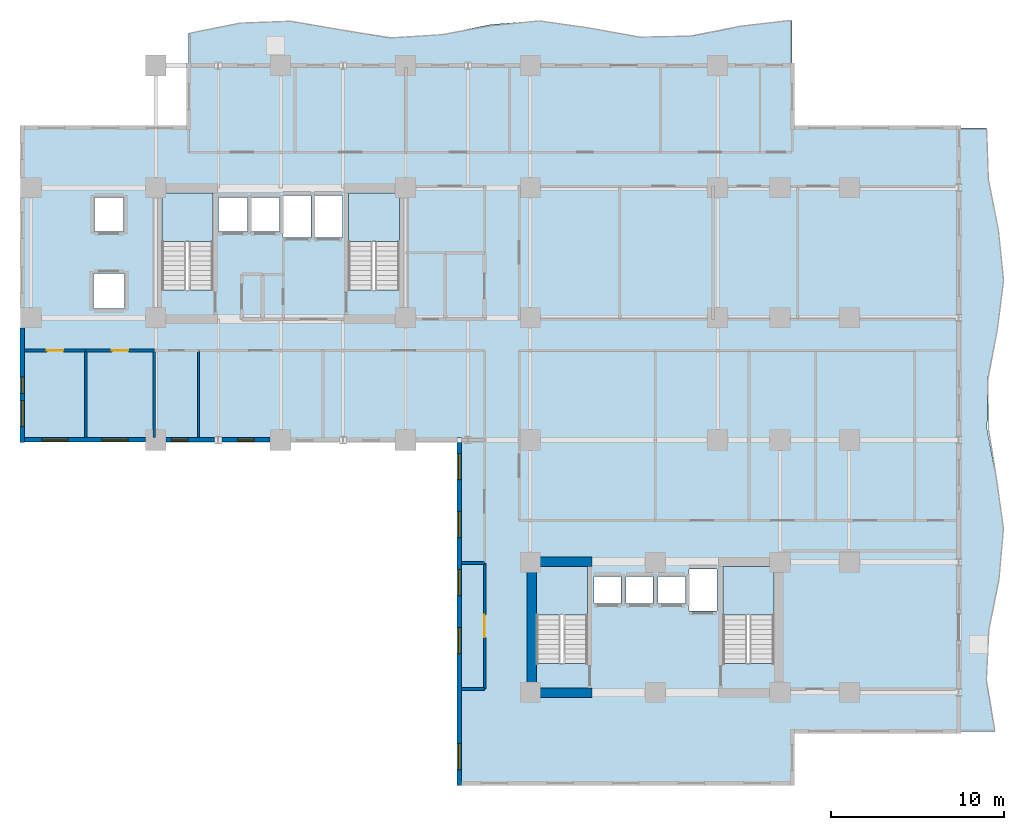
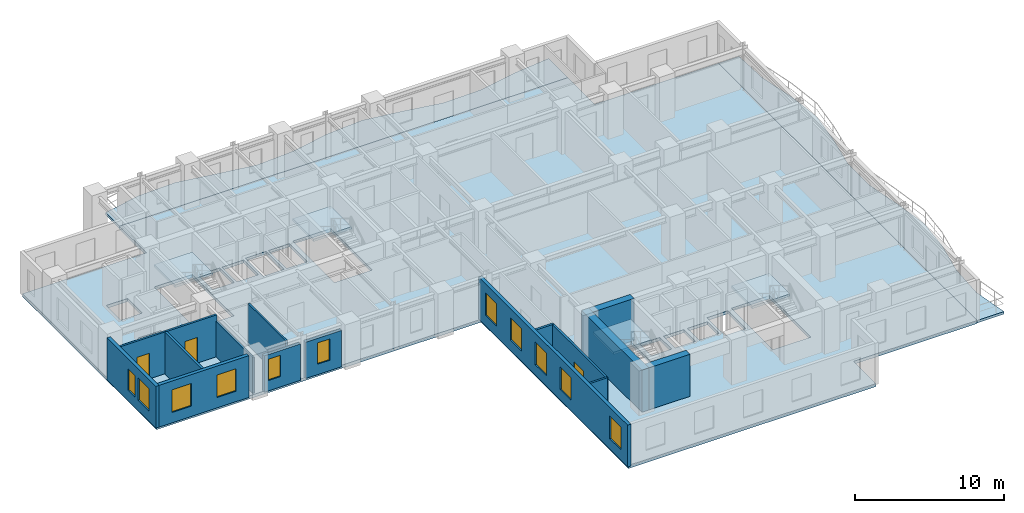
# One storey, part 2 of 11: 16 walls, 11 windows, 7 slabs, 3 doors, 14 openings, 4 elements without a shape of their own.
"""IFC4 building model written with IfcOpenShell, lengths in metres."""

from ifc_helpers import new_model, si_unit, direction, frame, frame_2d, origin, place, context, subcontext, project, spatial, polyline, rectangle, outline, extrude, material, layer, layer_set, type_object, element, fill, aggregate, save


model = new_model("IFC4")

# Units and contexts
model_context = context("Model", 3, precision=1e-05, world=origin(), true_north=direction((0.0, 1.0)))
body_context = subcontext(model_context, "Body", "Model", "MODEL_VIEW")
ifc_project = project(units=[si_unit("LENGTHUNIT", "METRE"), si_unit("AREAUNIT", "SQUARE_METRE"), si_unit("VOLUMEUNIT", "CUBIC_METRE"), si_unit("PLANEANGLEUNIT", "RADIAN"), si_unit("MASSUNIT", "GRAM", prefix="KILO")], contexts=[model_context])

# Site, building, storey
site_placement = place(None, origin())
site = spatial("IfcSite", under=ifc_project, at=site_placement, CompositionType="ELEMENT")
building_placement = place(site_placement, origin())
building = spatial("IfcBuilding", under=site, at=building_placement, Name="Kaliganga Portal Commons", CompositionType="ELEMENT")
storey_placement = place(building_placement, frame((0.0, 0.0, 115.60009765625)))
storey = spatial("IfcBuildingStorey", under=building, at=storey_placement, Name="L29", CompositionType="ELEMENT", Elevation=115.60009765625)

# Slabs
ifc_material_1 = material(Name="Concrete C40/50", Category="concrete")
ifc_layer_1 = layer(ifc_material_1, 0.2099609375)
ifc_layer_set_1 = layer_set([ifc_layer_1], Name="Concrete C40/50")
slab_type_1 = type_object("IfcSlabType", Name="SLB-BALC-210", PredefinedType="FLOOR", material=ifc_layer_set_1)
slab_1_placement = place(storey_placement, frame((0.0, 0.0, -0.210205078125)))
element("IfcSlab", 1, at=slab_1_placement, inside=storey, type_object=slab_type_1, Name="Scalloped Tree-Planter Balcony Slab L29 balc_north", PredefinedType="FLOOR", context=body_context, shape_type="SweptSolid", body=[
    extrude(outline(polyline([(51.10009765625, 43.199951171875), (51.10009765625, 45.800048828125), (48.199951171875, 45.462890625), (45.300048828125, 44.890380859375), (42.39990234375, 44.82861328125), (39.5, 45.35791015625), (36.60009765625, 45.788818359375), (33.699951171875, 45.559814453125), (30.800048828125, 44.969482421875), (27.89990234375, 44.786865234375), (25.0, 45.249755859375), (22.10009765625, 45.755126953125), (19.199951171875, 45.64453125), (16.300048828125, 45.06201171875), (16.300048828125, 43.199951171875), (51.10009765625, 43.199951171875)])), origin(), (0.0, 0.0, 1.0), 0.210205078125),
])
slab_2_placement = place(storey_placement, frame((0.0, 0.0, -0.210205078125)))
element("IfcSlab", 2, at=slab_2_placement, inside=storey, type_object=slab_type_1, Name="Scalloped Tree-Planter Balcony Slab L29 balc_east", PredefinedType="FLOOR", context=body_context, shape_type="SweptSolid", body=[
    extrude(outline(polyline([(60.699951171875, 4.800048828125), (62.782470703125, 4.800048828125), (62.297119140625, 7.699951171875), (62.444091796875, 10.60009765625), (63.03173828125, 13.5), (63.29443359375, 16.39990234375), (62.889892578125, 19.300048828125), (62.34521484375, 22.199951171875), (62.3701171875, 25.10009765625), (62.931884765625, 28.0), (63.299072265625, 30.89990234375), (62.992919921875, 33.800048828125), (62.41259765625, 36.699951171875), (62.31396484375, 39.60009765625), (60.699951171875, 39.60009765625), (60.699951171875, 4.800048828125)])), origin(), (0.0, 0.0, 1.0), 0.210205078125),
])

# Stair, slab
stair_type = type_object("IfcStairType", Name="ST-CORE-DOGLEG", PredefinedType="HALF_TURN_STAIR", material=ifc_material_1)
stair_1_placement = place(storey_placement, origin())
stair_1 = element("IfcStair", 3, at=stair_1_placement, inside=storey, type_object=stair_type, Name="L29 Protected Exit Stair ST-A1", PredefinedType="HALF_TURN_STAIR")
ifc_layer_2 = layer(ifc_material_1, 0.199951171875)
ifc_layer_set_2 = layer_set([ifc_layer_2], Name="Concrete C40/50")
slab_type_2 = type_object("IfcSlabType", Name="SLB-STAIR-LND", PredefinedType="LANDING", material=ifc_layer_set_2)
slab_3_placement = place(storey_placement, frame((0.0, 0.0, 1.64990234375)))
slab_3 = element("IfcSlab", 4, at=slab_3_placement, type_object=slab_type_2, Name="ST-A1 landing 1", PredefinedType="LANDING", context=body_context, shape_type="SweptSolid", body=[
    extrude(outline(polyline([(17.699951171875, 33.050048828125), (17.699951171875, 35.85009765625), (14.75, 35.85009765625), (14.75, 33.050048828125), (17.699951171875, 33.050048828125)])), origin(), (0.0, 0.0, 1.0), 0.199951171875),
])
aggregate(stair_1, [slab_3])

stair_2_placement = place(storey_placement, origin())
stair_2 = element("IfcStair", 5, at=stair_2_placement, inside=storey, type_object=stair_type, Name="L29 Protected Exit Stair ST-A2", PredefinedType="HALF_TURN_STAIR")
slab_4_placement = place(storey_placement, frame((0.0, 0.0, 1.64990234375)))
slab_4 = element("IfcSlab", 6, at=slab_4_placement, type_object=slab_type_2, Name="ST-A2 landing 1", PredefinedType="LANDING", context=body_context, shape_type="SweptSolid", body=[
    extrude(outline(polyline([(28.449951171875, 33.050048828125), (28.449951171875, 35.85009765625), (25.5, 35.85009765625), (25.5, 33.050048828125), (28.449951171875, 33.050048828125)])), origin(), (0.0, 0.0, 1.0), 0.199951171875),
])
aggregate(stair_2, [slab_4])

stair_3_placement = place(storey_placement, origin())
stair_3 = element("IfcStair", 7, at=stair_3_placement, inside=storey, type_object=stair_type, Name="L29 Protected Exit Stair ST-B1", PredefinedType="HALF_TURN_STAIR")
slab_5_placement = place(storey_placement, frame((0.0, 0.0, 1.64990234375)))
slab_5 = element("IfcSlab", 8, at=slab_5_placement, type_object=slab_type_2, Name="ST-B1 landing 1", PredefinedType="LANDING", context=body_context, shape_type="SweptSolid", body=[
    extrude(outline(polyline([(39.300048828125, 11.5), (39.300048828125, 14.300048828125), (36.35009765625, 14.300048828125), (36.35009765625, 11.5), (39.300048828125, 11.5)])), origin(), (0.0, 0.0, 1.0), 0.199951171875),
])
aggregate(stair_3, [slab_5])

stair_4_placement = place(storey_placement, origin())
stair_4 = element("IfcStair", 9, at=stair_4_placement, inside=storey, type_object=stair_type, Name="L29 Protected Exit Stair ST-B2", PredefinedType="HALF_TURN_STAIR")
slab_6_placement = place(storey_placement, frame((0.0, 0.0, 1.64990234375)))
slab_6 = element("IfcSlab", 10, at=slab_6_placement, type_object=slab_type_2, Name="ST-B2 landing 1", PredefinedType="LANDING", context=body_context, shape_type="SweptSolid", body=[
    extrude(outline(polyline([(50.050048828125, 11.5), (50.050048828125, 14.300048828125), (47.10009765625, 14.300048828125), (47.10009765625, 11.5), (50.050048828125, 11.5)])), origin(), (0.0, 0.0, 1.0), 0.199951171875),
])
aggregate(stair_4, [slab_6])

# Slab
ifc_layer_3 = layer(ifc_material_1, 0.25)
ifc_layer_set_3 = layer_set([ifc_layer_3], Name="Concrete C40/50")
slab_type_3 = type_object("IfcSlabType", Name="SLB-TWR-250", PredefinedType="FLOOR", material=ifc_layer_set_3)
slab_7_placement = place(storey_placement, frame((0.0, 0.0, -0.25)))
element("IfcSlab", 11, at=slab_7_placement, inside=storey, type_object=slab_type_3, Name="Structural Floor Slab L29", PredefinedType="FLOOR", context=body_context, shape_type="SweptSolid", body=[
    extrude(outline(polyline([(31.89990234375, 1.800048828125), (51.10009765625, 1.800048828125), (51.10009765625, 4.800048828125), (60.699951171875, 4.800048828125), (60.699951171875, 39.60009765625), (51.10009765625, 39.60009765625), (51.10009765625, 43.199951171875), (16.300048828125, 43.199951171875), (16.300048828125, 39.60009765625), (6.699951171875, 39.60009765625), (6.699951171875, 21.60009765625), (31.89990234375, 21.60009765625), (31.89990234375, 1.800048828125)]), holes=[polyline([(14.75, 30.25390625), (14.75, 35.85009765625), (17.699951171875, 35.85009765625), (17.699951171875, 30.25390625), (14.75, 30.25390625)]), polyline([(25.5, 30.25390625), (25.5, 35.85009765625), (28.449951171875, 35.85009765625), (28.449951171875, 30.25390625), (25.5, 30.25390625)]), polyline([(36.35009765625, 8.7041015625), (36.35009765625, 14.300048828125), (39.300048828125, 14.300048828125), (39.300048828125, 8.7041015625), (36.35009765625, 8.7041015625)]), polyline([(47.10009765625, 8.7041015625), (47.10009765625, 14.300048828125), (50.050048828125, 14.300048828125), (50.050048828125, 8.7041015625), (47.10009765625, 8.7041015625)]), polyline([(18.014892578125, 33.614990234375), (18.014892578125, 35.5849609375), (19.68505859375, 35.5849609375), (19.68505859375, 33.614990234375), (18.014892578125, 33.614990234375)]), polyline([(19.864990234375, 33.614990234375), (19.864990234375, 35.5849609375), (21.534912109375, 35.5849609375), (21.534912109375, 33.614990234375), (19.864990234375, 33.614990234375)]), polyline([(10.81494140625, 29.18994140625), (10.81494140625, 31.2099609375), (12.5849609375, 31.2099609375), (12.5849609375, 29.18994140625), (10.81494140625, 29.18994140625)]), polyline([(10.864990234375, 33.614990234375), (10.864990234375, 35.5849609375), (12.534912109375, 35.5849609375), (12.534912109375, 33.614990234375), (10.864990234375, 33.614990234375)]), polyline([(21.739990234375, 33.2900390625), (21.739990234375, 35.7099609375), (23.360107421875, 35.7099609375), (23.360107421875, 33.2900390625), (21.739990234375, 33.2900390625)]), polyline([(23.5400390625, 33.2900390625), (23.5400390625, 35.7099609375), (25.159912109375, 35.7099609375), (25.159912109375, 33.2900390625), (23.5400390625, 33.2900390625)]), polyline([(39.6650390625, 12.1650390625), (39.6650390625, 13.735107421875), (41.235107421875, 13.735107421875), (41.235107421875, 12.1650390625), (39.6650390625, 12.1650390625)]), polyline([(41.514892578125, 12.1650390625), (41.514892578125, 13.735107421875), (43.0849609375, 13.735107421875), (43.0849609375, 12.1650390625), (41.514892578125, 12.1650390625)]), polyline([(43.364990234375, 12.1650390625), (43.364990234375, 13.735107421875), (44.93505859375, 13.735107421875), (44.93505859375, 12.1650390625), (43.364990234375, 12.1650390625)]), polyline([(45.139892578125, 11.739990234375), (45.139892578125, 14.159912109375), (46.760009765625, 14.159912109375), (46.760009765625, 11.739990234375), (45.139892578125, 11.739990234375)])]), origin(), (0.0, 0.0, 1.0), 0.25),
])

# Walls
ifc_material_2 = material(Name="Concrete C60/75", Category="concrete")
ifc_layer_4 = layer(ifc_material_2, 0.550048828125)
ifc_layer_set_4 = layer_set([ifc_layer_4], Name="Concrete C60/75")
wall_type_1 = type_object("IfcWallType", Name="WL-CORE-550", PredefinedType="SHEAR", material=ifc_layer_set_4)
wall_1_placement = place(storey_placement, frame((36.074951171875, 6.75, 0.0), z_axis=(0.0, 0.0, 1.0), x_axis=(0.0, 1.0, 0.0)))
element("IfcWall", 12, at=wall_1_placement, inside=storey, type_object=wall_type_1, Name="Core B West Shear Wall L29", PredefinedType="SHEAR", context=body_context, shape_type="SweptSolid", body=[
    extrude(rectangle(XDim=8.10009765625, YDim=0.550048828125, at=frame_2d((4.050048828125, 0.0))), origin(), (0.0, 0.0, 1.0), 3.449951171875),
])
for number, where, z_axis, x_axis, name in (
    (13, (36.35009765625, 7.02490234375, 0.0), (0.0, 0.0, 1.0), (1.0, 0.0, 0.0), "Core B S-West Shear Wall L29"),
    (14, (36.35009765625, 14.574951171875, 0.0), (0.0, 0.0, 1.0), (1.0, 0.0, 0.0), "Core B N-West Shear Wall L29"),
):
    element("IfcWall", number, at=place(storey_placement, frame(where, z_axis=z_axis, x_axis=x_axis)), inside=storey, type_object=wall_type_1, Name=name, PredefinedType="SHEAR", context=body_context, shape_type="SweptSolid", body=[
        extrude(rectangle(XDim=3.199951171875, YDim=0.550048828125, at=frame_2d((1.60009765625, 0.0))), origin(), (0.0, 0.0, 1.0), 3.449951171875),
    ])

# Wall, openings, windows
ifc_material_3 = material(Name="Insulated Aluminium-Clad Spandrel Assembly", Category="aluminium")
ifc_layer_5 = layer(ifc_material_3, 0.260009765625)
ifc_layer_set_5 = layer_set([ifc_layer_5], Name="Insulated Aluminium-Clad Spandrel Assembly")
wall_type_2 = type_object("IfcWallType", Name="WL-EXT-SPAND-260", PredefinedType="STANDARD", material=ifc_layer_set_5)
wall_2_placement = place(storey_placement, frame((6.699951171875, 21.469970703125, 0.0), z_axis=(0.0, 0.0, 1.0), x_axis=(0.0, 1.0, 0.0)))
wall_2 = element("IfcWall", 15, at=wall_2_placement, inside=storey, type_object=wall_type_2, Name="Exterior Envelope Wall L29 P1-E09-S3", PredefinedType="STANDARD", context=body_context, shape_type="SweptSolid", body=[
    extrude(rectangle(XDim=6.5791015625, YDim=0.260009765625, at=frame_2d((3.28955078125, 0.0))), origin(), (0.0, 0.0, 1.0), 3.429931640625),
])
opening_1_placement = place(wall_2_placement, frame((0.894775390625, 0.0, 0.85009765625)))
opening_1 = element("IfcOpeningElement", 16, at=opening_1_placement, cuts=wall_2, Name="Opening W-02", PredefinedType="OPENING", context=body_context, shape_type="SweptSolid", body=[
    extrude(rectangle(XDim=1.5, YDim=1.85009765625, at=frame_2d((0.75, 0.925048828125))), frame((0.0, 0.14013671875, 0.0), z_axis=(0.0, -1.0, 0.0), x_axis=(1.0, 0.0, 0.0)), (0.0, 0.0, 1.0), 0.280029296875),
])
opening_2_placement = place(wall_2_placement, frame((2.814453125, 0.0, 0.85009765625)))
opening_2 = element("IfcOpeningElement", 17, at=opening_2_placement, cuts=wall_2, Name="Opening W-04", PredefinedType="OPENING", context=body_context, shape_type="SweptSolid", body=[
    extrude(rectangle(XDim=0.949951171875, YDim=1.75, at=frame_2d((0.47509765625, 0.875))), frame((0.0, 0.14013671875, 0.0), z_axis=(0.0, -1.0, 0.0), x_axis=(1.0, 0.0, 0.0)), (0.0, 0.0, 1.0), 0.280029296875),
])
ifc_material_4 = material(Name="Thermally Broken Aluminium and Low-E Double Glazing", Category="aluminium")
window_type_1 = type_object("IfcWindowType", Name="WIN-NARROW-950", PartitioningType="SINGLE_PANEL", PredefinedType="WINDOW", material=ifc_material_4)
window_1_placement = place(opening_2_placement, origin())
window_1 = element("IfcWindow", 18, at=window_1_placement, inside=storey, type_object=window_type_1, Name="Facade Window L29-P1E09S3-N0", OverallHeight=1.75, OverallWidth=0.949951171875, PartitioningType="SINGLE_PANEL", PredefinedType="WINDOW", context=body_context, shape_type="SweptSolid", body=[
    extrude(rectangle(XDim=0.949951171875, YDim=1.75, at=frame_2d((0.47509765625, 0.875))), frame((0.0, 0.030029296875, 0.0), z_axis=(0.0, -1.0, 0.0), x_axis=(1.0, 0.0, 0.0)), (0.0, 0.0, 1.0), 0.06005859375),
])
fill(opening_2, window_1)
window_type_2 = type_object("IfcWindowType", Name="WIN-STD-1500", PartitioningType="DOUBLE_PANEL_VERTICAL", PredefinedType="WINDOW", material=ifc_material_4)
window_2_placement = place(opening_1_placement, origin())
window_2 = element("IfcWindow", 19, at=window_2_placement, inside=storey, type_object=window_type_2, Name="Facade Window L29-P1E09S3-00", OverallHeight=1.85009765625, OverallWidth=1.5, PartitioningType="SINGLE_PANEL", PredefinedType="WINDOW", context=body_context, shape_type="SweptSolid", body=[
    extrude(rectangle(XDim=1.5, YDim=1.85009765625, at=frame_2d((0.75, 0.925048828125))), frame((0.0, 0.030029296875, 0.0), z_axis=(0.0, -1.0, 0.0), x_axis=(1.0, 0.0, 0.0)), (0.0, 0.0, 1.0), 0.06005859375),
])
fill(opening_1, window_2)

wall_3_placement = place(storey_placement, frame((13.799072265625, 21.60009765625, 0.0), z_axis=(0.0, 0.0, 1.0), x_axis=(-1.0, 0.0, 0.0)))
wall_3 = element("IfcWall", 20, at=wall_3_placement, inside=storey, type_object=wall_type_2, Name="Exterior Envelope Wall L29 P1-E10-S1", PredefinedType="STANDARD", context=body_context, shape_type="SweptSolid", body=[
    extrude(rectangle(XDim=6.964111328125, YDim=0.260009765625, at=frame_2d((3.48193359375, 0.0))), origin(), (0.0, 0.0, 1.0), 3.429931640625),
])
opening_3_placement = place(wall_3_placement, frame((0.990966796875, 0.0, 0.85009765625)))
opening_3 = element("IfcOpeningElement", 21, at=opening_3_placement, cuts=wall_3, Name="Opening W-02", PredefinedType="OPENING", context=body_context, shape_type="SweptSolid", body=[
    extrude(rectangle(XDim=1.5, YDim=1.85009765625, at=frame_2d((0.75, 0.925048828125))), frame((0.0, 0.14013671875, 0.0), z_axis=(0.0, -1.0, 0.0), x_axis=(1.0, 0.0, 0.0)), (0.0, 0.0, 1.0), 0.280029296875),
])
opening_4_placement = place(wall_3_placement, frame((4.472900390625, 0.0, 0.85009765625)))
opening_4 = element("IfcOpeningElement", 22, at=opening_4_placement, cuts=wall_3, Name="Opening W-02", PredefinedType="OPENING", context=body_context, shape_type="SweptSolid", body=[
    extrude(rectangle(XDim=1.5, YDim=1.85009765625, at=frame_2d((0.75, 0.925048828125))), frame((0.0, 0.14013671875, 0.0), z_axis=(0.0, -1.0, 0.0), x_axis=(1.0, 0.0, 0.0)), (0.0, 0.0, 1.0), 0.280029296875),
])
window_3_placement = place(opening_3_placement, origin())
window_3 = element("IfcWindow", 23, at=window_3_placement, inside=storey, type_object=window_type_2, Name="Facade Window L29-P1E10S1-00", OverallHeight=1.85009765625, OverallWidth=1.5, PartitioningType="SINGLE_PANEL", PredefinedType="WINDOW", context=body_context, shape_type="SweptSolid", body=[
    extrude(rectangle(XDim=1.5, YDim=1.85009765625, at=frame_2d((0.75, 0.925048828125))), frame((0.0, 0.030029296875, 0.0), z_axis=(0.0, -1.0, 0.0), x_axis=(1.0, 0.0, 0.0)), (0.0, 0.0, 1.0), 0.06005859375),
])
fill(opening_3, window_3)
window_4_placement = place(opening_4_placement, origin())
window_4 = element("IfcWindow", 24, at=window_4_placement, inside=storey, type_object=window_type_2, Name="Facade Window L29-P1E10S1-01", OverallHeight=1.85009765625, OverallWidth=1.5, PartitioningType="SINGLE_PANEL", PredefinedType="WINDOW", context=body_context, shape_type="SweptSolid", body=[
    extrude(rectangle(XDim=1.5, YDim=1.85009765625, at=frame_2d((0.75, 0.925048828125))), frame((0.0, 0.030029296875, 0.0), z_axis=(0.0, -1.0, 0.0), x_axis=(1.0, 0.0, 0.0)), (0.0, 0.0, 1.0), 0.06005859375),
])
fill(opening_4, window_4)

# Wall, opening, window
wall_4_placement = place(storey_placement, frame((17.79443359375, 21.60009765625, 0.0), z_axis=(0.0, 0.0, 1.0), x_axis=(-1.0, 0.0, 0.0)))
wall_4 = element("IfcWall", 25, at=wall_4_placement, inside=storey, type_object=wall_type_2, Name="Exterior Envelope Wall L29 P1-E10-S2", PredefinedType="STANDARD", context=body_context, shape_type="SweptSolid", body=[
    extrude(rectangle(XDim=2.79345703125, YDim=0.260009765625, at=frame_2d((1.396728515625, 0.0))), origin(), (0.0, 0.0, 1.0), 2.97998046875),
])
opening_5_placement = place(wall_4_placement, frame((1.536376953125, 0.0, 0.85009765625)))
opening_5 = element("IfcOpeningElement", 26, at=opening_5_placement, cuts=wall_4, Name="Opening W-04", PredefinedType="OPENING", context=body_context, shape_type="SweptSolid", body=[
    extrude(rectangle(XDim=0.949951171875, YDim=1.75, at=frame_2d((0.47509765625, 0.875))), frame((0.0, 0.14013671875, 0.0), z_axis=(0.0, -1.0, 0.0), x_axis=(1.0, 0.0, 0.0)), (0.0, 0.0, 1.0), 0.280029296875),
])
window_5_placement = place(opening_5_placement, origin())
window_5 = element("IfcWindow", 27, at=window_5_placement, inside=storey, type_object=window_type_1, Name="Facade Window L29-P1E10S2-N4", OverallHeight=1.75, OverallWidth=0.949951171875, PartitioningType="SINGLE_PANEL", PredefinedType="WINDOW", context=body_context, shape_type="SweptSolid", body=[
    extrude(rectangle(XDim=0.949951171875, YDim=1.75, at=frame_2d((0.47509765625, 0.875))), frame((0.0, 0.030029296875, 0.0), z_axis=(0.0, -1.0, 0.0), x_axis=(1.0, 0.0, 0.0)), (0.0, 0.0, 1.0), 0.06005859375),
])
fill(opening_5, window_5)

wall_5_placement = place(storey_placement, frame((20.9990234375, 21.60009765625, 0.0), z_axis=(0.0, 0.0, 1.0), x_axis=(-1.0, 0.0, 0.0)))
wall_5 = element("IfcWall", 28, at=wall_5_placement, inside=storey, type_object=wall_type_2, Name="Exterior Envelope Wall L29 P1-E10-S3", PredefinedType="STANDARD", context=body_context, shape_type="SweptSolid", body=[
    extrude(rectangle(XDim=2.79345703125, YDim=0.260009765625, at=frame_2d((1.396728515625, 0.0))), origin(), (0.0, 0.0, 1.0), 2.97998046875),
])
opening_6_placement = place(wall_5_placement, frame((0.921630859375, 0.0, 0.85009765625)))
opening_6 = element("IfcOpeningElement", 29, at=opening_6_placement, cuts=wall_5, Name="Opening W-04", PredefinedType="OPENING", context=body_context, shape_type="SweptSolid", body=[
    extrude(rectangle(XDim=0.949951171875, YDim=1.75, at=frame_2d((0.47509765625, 0.875))), frame((0.0, 0.14013671875, 0.0), z_axis=(0.0, -1.0, 0.0), x_axis=(1.0, 0.0, 0.0)), (0.0, 0.0, 1.0), 0.280029296875),
])
window_6_placement = place(opening_6_placement, origin())
window_6 = element("IfcWindow", 30, at=window_6_placement, inside=storey, type_object=window_type_1, Name="Facade Window L29-P1E10S3-00", OverallHeight=1.75, OverallWidth=0.949951171875, PartitioningType="SINGLE_PANEL", PredefinedType="WINDOW", context=body_context, shape_type="SweptSolid", body=[
    extrude(rectangle(XDim=0.949951171875, YDim=1.75, at=frame_2d((0.47509765625, 0.875))), frame((0.0, 0.030029296875, 0.0), z_axis=(0.0, -1.0, 0.0), x_axis=(1.0, 0.0, 0.0)), (0.0, 0.0, 1.0), 0.06005859375),
])
fill(opening_6, window_6)

# Wall, openings, windows
wall_6_placement = place(storey_placement, frame((31.89990234375, 1.669921875, 0.0), z_axis=(0.0, 0.0, 1.0), x_axis=(0.0, 1.0, 0.0)))
wall_6 = element("IfcWall", 31, at=wall_6_placement, inside=storey, type_object=wall_type_2, Name="Exterior Envelope Wall L29 P1-E11-S1", PredefinedType="STANDARD", context=body_context, shape_type="SweptSolid", body=[
    extrude(rectangle(XDim=20.06005859375, YDim=0.260009765625, at=frame_2d((10.030029296875, 0.0))), origin(), (0.0, 0.0, 1.0), 3.429931640625),
])
opening_7_placement = place(wall_6_placement, frame((0.921630859375, 0.0, 0.85009765625)))
opening_7 = element("IfcOpeningElement", 32, at=opening_7_placement, cuts=wall_6, Name="Opening W-02", PredefinedType="OPENING", context=body_context, shape_type="SweptSolid", body=[
    extrude(rectangle(XDim=1.5, YDim=1.85009765625, at=frame_2d((0.75, 0.925048828125))), frame((0.0, 0.14013671875, 0.0), z_axis=(0.0, -1.0, 0.0), x_axis=(1.0, 0.0, 0.0)), (0.0, 0.0, 1.0), 0.280029296875),
])
opening_8_placement = place(wall_6_placement, frame((7.6083984375, 0.0, 0.85009765625)))
opening_8 = element("IfcOpeningElement", 33, at=opening_8_placement, cuts=wall_6, Name="Opening W-02", PredefinedType="OPENING", context=body_context, shape_type="SweptSolid", body=[
    extrude(rectangle(XDim=1.5, YDim=1.85009765625, at=frame_2d((0.75, 0.925048828125))), frame((0.0, 0.14013671875, 0.0), z_axis=(0.0, -1.0, 0.0), x_axis=(1.0, 0.0, 0.0)), (0.0, 0.0, 1.0), 0.280029296875),
])
opening_9_placement = place(wall_6_placement, frame((10.95166015625, 0.0, 0.85009765625)))
opening_9 = element("IfcOpeningElement", 34, at=opening_9_placement, cuts=wall_6, Name="Opening W-02", PredefinedType="OPENING", context=body_context, shape_type="SweptSolid", body=[
    extrude(rectangle(XDim=1.5, YDim=1.85009765625, at=frame_2d((0.75, 0.925048828125))), frame((0.0, 0.14013671875, 0.0), z_axis=(0.0, -1.0, 0.0), x_axis=(1.0, 0.0, 0.0)), (0.0, 0.0, 1.0), 0.280029296875),
])
opening_10_placement = place(wall_6_placement, frame((14.294921875, 0.0, 0.85009765625)))
opening_10 = element("IfcOpeningElement", 35, at=opening_10_placement, cuts=wall_6, Name="Opening W-02", PredefinedType="OPENING", context=body_context, shape_type="SweptSolid", body=[
    extrude(rectangle(XDim=1.5, YDim=1.85009765625, at=frame_2d((0.75, 0.925048828125))), frame((0.0, 0.14013671875, 0.0), z_axis=(0.0, -1.0, 0.0), x_axis=(1.0, 0.0, 0.0)), (0.0, 0.0, 1.0), 0.280029296875),
])
opening_11_placement = place(wall_6_placement, frame((17.63818359375, 0.0, 0.85009765625)))
opening_11 = element("IfcOpeningElement", 36, at=opening_11_placement, cuts=wall_6, Name="Opening W-02", PredefinedType="OPENING", context=body_context, shape_type="SweptSolid", body=[
    extrude(rectangle(XDim=1.5, YDim=1.85009765625, at=frame_2d((0.75, 0.925048828125))), frame((0.0, 0.14013671875, 0.0), z_axis=(0.0, -1.0, 0.0), x_axis=(1.0, 0.0, 0.0)), (0.0, 0.0, 1.0), 0.280029296875),
])
window_7_placement = place(opening_7_placement, origin())
window_7 = element("IfcWindow", 37, at=window_7_placement, inside=storey, type_object=window_type_2, Name="Facade Window L29-P1E11S1-00", OverallHeight=1.85009765625, OverallWidth=1.5, PartitioningType="SINGLE_PANEL", PredefinedType="WINDOW", context=body_context, shape_type="SweptSolid", body=[
    extrude(rectangle(XDim=1.5, YDim=1.85009765625, at=frame_2d((0.75, 0.925048828125))), frame((0.0, 0.030029296875, 0.0), z_axis=(0.0, -1.0, 0.0), x_axis=(1.0, 0.0, 0.0)), (0.0, 0.0, 1.0), 0.06005859375),
])
fill(opening_7, window_7)
window_8_placement = place(opening_8_placement, origin())
window_8 = element("IfcWindow", 38, at=window_8_placement, inside=storey, type_object=window_type_2, Name="Facade Window L29-P1E11S1-02", OverallHeight=1.85009765625, OverallWidth=1.5, PartitioningType="SINGLE_PANEL", PredefinedType="WINDOW", context=body_context, shape_type="SweptSolid", body=[
    extrude(rectangle(XDim=1.5, YDim=1.85009765625, at=frame_2d((0.75, 0.925048828125))), frame((0.0, 0.030029296875, 0.0), z_axis=(0.0, -1.0, 0.0), x_axis=(1.0, 0.0, 0.0)), (0.0, 0.0, 1.0), 0.06005859375),
])
fill(opening_8, window_8)
window_9_placement = place(opening_9_placement, origin())
window_9 = element("IfcWindow", 39, at=window_9_placement, inside=storey, type_object=window_type_2, Name="Facade Window L29-P1E11S1-03", OverallHeight=1.85009765625, OverallWidth=1.5, PartitioningType="SINGLE_PANEL", PredefinedType="WINDOW", context=body_context, shape_type="SweptSolid", body=[
    extrude(rectangle(XDim=1.5, YDim=1.85009765625, at=frame_2d((0.75, 0.925048828125))), frame((0.0, 0.030029296875, 0.0), z_axis=(0.0, -1.0, 0.0), x_axis=(1.0, 0.0, 0.0)), (0.0, 0.0, 1.0), 0.06005859375),
])
fill(opening_9, window_9)
window_10_placement = place(opening_10_placement, origin())
window_10 = element("IfcWindow", 40, at=window_10_placement, inside=storey, type_object=window_type_2, Name="Facade Window L29-P1E11S1-04", OverallHeight=1.85009765625, OverallWidth=1.5, PartitioningType="SINGLE_PANEL", PredefinedType="WINDOW", context=body_context, shape_type="SweptSolid", body=[
    extrude(rectangle(XDim=1.5, YDim=1.85009765625, at=frame_2d((0.75, 0.925048828125))), frame((0.0, 0.030029296875, 0.0), z_axis=(0.0, -1.0, 0.0), x_axis=(1.0, 0.0, 0.0)), (0.0, 0.0, 1.0), 0.06005859375),
])
fill(opening_10, window_10)
window_11_placement = place(opening_11_placement, origin())
window_11 = element("IfcWindow", 41, at=window_11_placement, inside=storey, type_object=window_type_2, Name="Facade Window L29-P1E11S1-05", OverallHeight=1.85009765625, OverallWidth=1.5, PartitioningType="SINGLE_PANEL", PredefinedType="WINDOW", context=body_context, shape_type="SweptSolid", body=[
    extrude(rectangle(XDim=1.5, YDim=1.85009765625, at=frame_2d((0.75, 0.925048828125))), frame((0.0, 0.030029296875, 0.0), z_axis=(0.0, -1.0, 0.0), x_axis=(1.0, 0.0, 0.0)), (0.0, 0.0, 1.0), 0.06005859375),
])
fill(opening_11, window_11)

# Wall, opening, door
ifc_material_5 = material(Name="Fire-Rated Gypsum Board on Steel Stud", Category="steel")
ifc_layer_6 = layer(ifc_material_5, 0.14990234375)
ifc_layer_set_6 = layer_set([ifc_layer_6], Name="Fire-Rated Gypsum Board on Steel Stud")
wall_type_3 = type_object("IfcWallType", Name="WL-PART-CORR-150", PredefinedType="PARTITIONING", material=ifc_layer_set_6)
wall_7_placement = place(storey_placement, frame((33.360107421875, 7.239990234375, 0.0), z_axis=(0.0, 0.0, 1.0), x_axis=(0.0, 1.0, 0.0)))
wall_7 = element("IfcWall", 42, at=wall_7_placement, inside=storey, type_object=wall_type_3, Name="Interior Partition L29-011", PredefinedType="PARTITIONING", context=body_context, shape_type="SweptSolid", body=[
    extrude(rectangle(XDim=7.260009765625, YDim=0.14990234375, at=frame_2d((3.6298828125, 0.0))), origin(), (0.0, 0.0, 1.0), 3.429931640625),
])
opening_12_placement = place(wall_7_placement, frame((2.97998046875, 0.0, 0.0)))
opening_12 = element("IfcOpeningElement", 43, at=opening_12_placement, cuts=wall_7, Name="Opening RD-03", PredefinedType="OPENING", context=body_context, shape_type="SweptSolid", body=[
    extrude(rectangle(XDim=1.300048828125, YDim=2.1201171875, at=frame_2d((0.64990234375, 1.06005859375))), frame((0.0, 0.0849609375, 0.0), z_axis=(0.0, -1.0, 0.0), x_axis=(1.0, 0.0, 0.0)), (0.0, 0.0, 1.0), 0.169921875),
])
ifc_material_6 = material(Name="Glazed Timber Seminar Vision Door", Category="wood")
door_type_1 = type_object("IfcDoorType", Name="DR-STUDY-1300", OperationType="DOUBLE_DOOR_SINGLE_SWING", PredefinedType="DOOR", material=ifc_material_6)
door_1_placement = place(opening_12_placement, origin())
door_1 = element("IfcDoor", 44, at=door_1_placement, inside=storey, type_object=door_type_1, Name="Interior Door L29-KW01", OperationType="DOUBLE_DOOR_SINGLE_SWING", OverallHeight=2.1201171875, OverallWidth=1.300048828125, PredefinedType="DOOR", context=body_context, shape_type="SweptSolid", body=[
    extrude(rectangle(XDim=1.300048828125, YDim=2.1201171875, at=frame_2d((0.64990234375, 1.06005859375))), frame((0.0, 0.02490234375, 0.0), z_axis=(0.0, -1.0, 0.0), x_axis=(1.0, 0.0, 0.0)), (0.0, 0.0, 1.0), 0.050048828125),
])
fill(opening_12, door_1)

wall_8_placement = place(storey_placement, frame((10.360107421875, 26.760009765625, 0.0), z_axis=(0.0, 0.0, 1.0), x_axis=(1.0, 0.0, 0.0)))
wall_8 = element("IfcWall", 45, at=wall_8_placement, inside=storey, type_object=wall_type_3, Name="Interior Partition L29-026", PredefinedType="PARTITIONING", context=body_context, shape_type="SweptSolid", body=[
    extrude(rectangle(XDim=3.9599609375, YDim=0.14990234375, at=frame_2d((1.97998046875, 0.0))), origin(), (0.0, 0.0, 1.0), 3.429931640625),
])
opening_13_placement = place(wall_8_placement, frame((1.5048828125, 0.0, 0.0)))
opening_13 = element("IfcOpeningElement", 46, at=opening_13_placement, cuts=wall_8, Name="Opening UD-01", PredefinedType="OPENING", context=body_context, shape_type="SweptSolid", body=[
    extrude(rectangle(XDim=0.949951171875, YDim=2.10009765625, at=frame_2d((0.47509765625, 1.050048828125))), frame((0.0, 0.0849609375, 0.0), z_axis=(0.0, -1.0, 0.0), x_axis=(1.0, 0.0, 0.0)), (0.0, 0.0, 1.0), 0.169921875),
])
ifc_material_7 = material(Name="Solid-Core Timber Acoustic Fire Door", Category="wood")
door_type_2 = type_object("IfcDoorType", Name="DR-UNIT-950", OperationType="NOTDEFINED", PredefinedType="DOOR", material=ifc_material_7)
door_2_placement = place(opening_13_placement, origin())
door_2 = element("IfcDoor", 47, at=door_2_placement, inside=storey, type_object=door_type_2, Name="Interior Door L29-AS02", OperationType="SINGLE_SWING_LEFT", OverallHeight=2.10009765625, OverallWidth=0.949951171875, PredefinedType="DOOR", context=body_context, shape_type="SweptSolid", body=[
    extrude(rectangle(XDim=0.949951171875, YDim=2.10009765625, at=frame_2d((0.47509765625, 1.050048828125))), frame((0.0, 0.02490234375, 0.0), z_axis=(0.0, -1.0, 0.0), x_axis=(1.0, 0.0, 0.0)), (0.0, 0.0, 1.0), 0.050048828125),
])
fill(opening_13, door_2)

wall_9_placement = place(storey_placement, frame((6.83203125, 26.760009765625, 0.0), z_axis=(0.0, 0.0, 1.0), x_axis=(1.0, 0.0, 0.0)))
wall_9 = element("IfcWall", 48, at=wall_9_placement, inside=storey, type_object=wall_type_3, Name="Interior Partition L29-030", PredefinedType="PARTITIONING", context=body_context, shape_type="SweptSolid", body=[
    extrude(rectangle(XDim=3.528076171875, YDim=0.14990234375, at=frame_2d((1.76416015625, 0.0))), origin(), (0.0, 0.0, 1.0), 3.429931640625),
])
opening_14_placement = place(wall_9_placement, frame((1.2890625, 0.0, 0.0)))
opening_14 = element("IfcOpeningElement", 49, at=opening_14_placement, cuts=wall_9, Name="Opening UD-01", PredefinedType="OPENING", context=body_context, shape_type="SweptSolid", body=[
    extrude(rectangle(XDim=0.949951171875, YDim=2.10009765625, at=frame_2d((0.47509765625, 1.050048828125))), frame((0.0, 0.0849609375, 0.0), z_axis=(0.0, -1.0, 0.0), x_axis=(1.0, 0.0, 0.0)), (0.0, 0.0, 1.0), 0.169921875),
])
door_3_placement = place(opening_14_placement, origin())
door_3 = element("IfcDoor", 50, at=door_3_placement, inside=storey, type_object=door_type_2, Name="Interior Door L29-AS01", OperationType="SINGLE_SWING_RIGHT", OverallHeight=2.10009765625, OverallWidth=0.949951171875, PredefinedType="DOOR", context=body_context, shape_type="SweptSolid", body=[
    extrude(rectangle(XDim=0.949951171875, YDim=2.10009765625, at=frame_2d((0.47509765625, 1.050048828125))), frame((0.0, 0.02490234375, 0.0), z_axis=(0.0, -1.0, 0.0), x_axis=(1.0, 0.0, 0.0)), (0.0, 0.0, 1.0), 0.050048828125),
])
fill(opening_14, door_3)

# Walls
wall_10_placement = place(storey_placement, frame((32.031982421875, 7.239990234375, 0.0), z_axis=(0.0, 0.0, 1.0), x_axis=(1.0, 0.0, 0.0)))
element("IfcWall", 51, at=wall_10_placement, inside=storey, type_object=wall_type_3, Name="Interior Partition L29-038", PredefinedType="PARTITIONING", context=body_context, shape_type="SweptSolid", body=[
    extrude(rectangle(XDim=1.328125, YDim=0.14990234375, at=frame_2d((0.6640625, 0.0))), origin(), (0.0, 0.0, 1.0), 3.429931640625),
])
ifc_material_8 = material(Name="Twin-Stud Acoustic Gypsum Partition", Category="gypsum")
ifc_layer_7 = layer(ifc_material_8, 0.1650390625)
ifc_layer_set_7 = layer_set([ifc_layer_7], Name="Twin-Stud Acoustic Gypsum Partition")
wall_type_4 = type_object("IfcWallType", Name="WL-PART-UNIT-165", PredefinedType="PARTITIONING", material=ifc_layer_set_7)
wall_11_placement = place(storey_placement, frame((10.360107421875, 21.73193359375, 0.0), z_axis=(0.0, 0.0, 1.0), x_axis=(0.0, 1.0, 0.0)))
element("IfcWall", 52, at=wall_11_placement, inside=storey, type_object=wall_type_4, Name="Interior Partition L29-057", PredefinedType="PARTITIONING", context=body_context, shape_type="SweptSolid", body=[
    extrude(rectangle(XDim=5.028076171875, YDim=0.1650390625, at=frame_2d((2.51416015625, 0.0))), origin(), (0.0, 0.0, 1.0), 3.429931640625),
])
wall_12_placement = place(storey_placement, frame((32.031982421875, 14.5, 0.0), z_axis=(0.0, 0.0, 1.0), x_axis=(1.0, 0.0, 0.0)))
element("IfcWall", 53, at=wall_12_placement, inside=storey, type_object=wall_type_4, Name="Interior Partition L29-078", PredefinedType="PARTITIONING", context=body_context, shape_type="SweptSolid", body=[
    extrude(rectangle(XDim=1.328125, YDim=0.1650390625, at=frame_2d((0.6640625, 0.0))), origin(), (0.0, 0.0, 1.0), 3.429931640625),
])
ifc_material_9 = material(Name="Cement-Board Wet-Room Partition", Category="gypsum")
ifc_layer_8 = layer(ifc_material_9, 0.135009765625)
ifc_layer_set_8 = layer_set([ifc_layer_8], Name="Cement-Board Wet-Room Partition")
wall_type_5 = type_object("IfcWallType", Name="WL-PART-WET-135", PredefinedType="PARTITIONING", material=ifc_layer_set_8)
wall_13_placement = place(storey_placement, frame((14.320068359375, 21.73193359375, 0.0), z_axis=(0.0, 0.0, 1.0), x_axis=(0.0, 1.0, 0.0)))
element("IfcWall", 54, at=wall_13_placement, inside=storey, type_object=wall_type_5, Name="Interior Partition L29-058", PredefinedType="PARTITIONING", context=body_context, shape_type="SweptSolid", body=[
    extrude(rectangle(XDim=5.028076171875, YDim=0.135009765625, at=frame_2d((2.51416015625, 0.0))), origin(), (0.0, 0.0, 1.0), 2.929931640625),
])
wall_14_placement = place(storey_placement, frame((16.860107421875, 21.73193359375, 0.0), z_axis=(0.0, 0.0, 1.0), x_axis=(0.0, 1.0, 0.0)))
element("IfcWall", 55, at=wall_14_placement, inside=storey, type_object=wall_type_5, Name="Interior Partition L29-059", PredefinedType="PARTITIONING", context=body_context, shape_type="SweptSolid", body=[
    extrude(rectangle(XDim=5.028076171875, YDim=0.135009765625, at=frame_2d((2.51416015625, 0.0))), origin(), (0.0, 0.0, 1.0), 3.429931640625),
])

save(model, "model.ifc")
